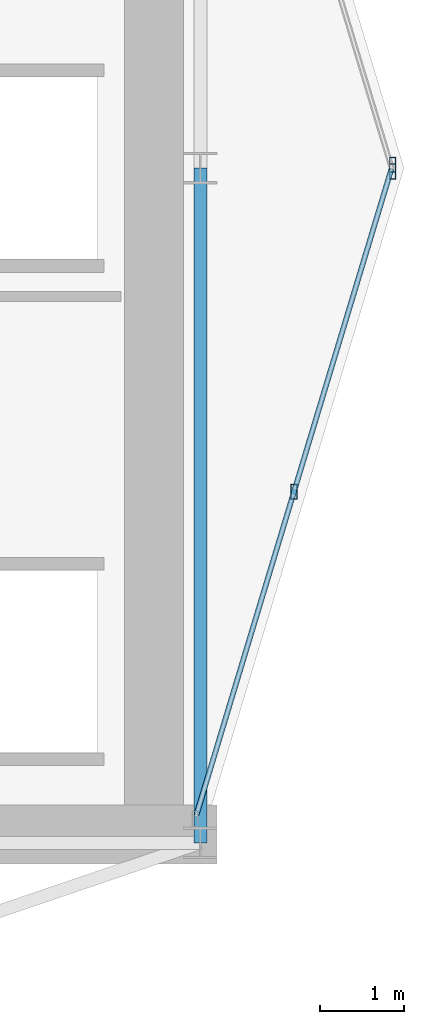
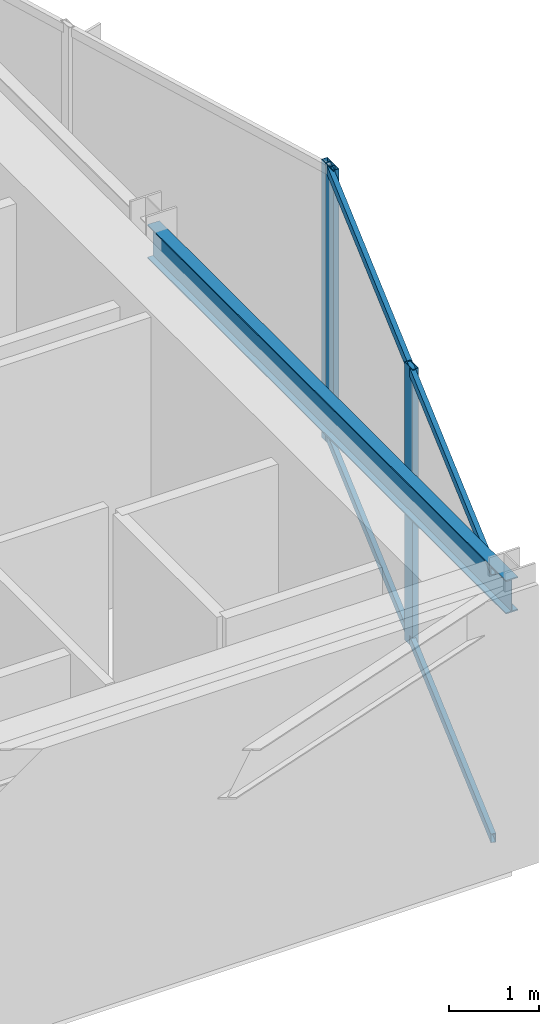
# One storey, part 14 of 22: 5 members, 1 beam, 2 elements without a shape of their own.
"""IFC4 building model written with IfcOpenShell, lengths in metres."""

from ifc_helpers import new_model, si_unit, direction, frame, origin, origin_2d, place, context, subcontext, project, spatial, hollow_rectangle, i_section, extrude, material, layer, layer_set, material_profile, profile_set, type_object, element, aggregate, save


model = new_model("IFC4")

# Units and contexts
model_context = context("Model", 3, precision=1e-05, world=origin(), true_north=direction((0.0, 1.0)))
body_context = subcontext(model_context, "Body", "Model", "MODEL_VIEW")
ifc_project = project(units=[si_unit("LENGTHUNIT", "METRE"), si_unit("AREAUNIT", "SQUARE_METRE"), si_unit("VOLUMEUNIT", "CUBIC_METRE"), si_unit("PLANEANGLEUNIT", "RADIAN"), si_unit("MASSUNIT", "GRAM", prefix="KILO")], contexts=[model_context])

# Site, building, storey
site_placement = place(None, origin())
site = spatial("IfcSite", under=ifc_project, at=site_placement, CompositionType="ELEMENT")
building_placement = place(site_placement, origin())
building = spatial("IfcBuilding", under=site, at=building_placement, Name="Veymaron Broadcast Tower", CompositionType="ELEMENT")
storey_placement = place(building_placement, frame((0.0, 0.0, 216.14990234375)))
storey = spatial("IfcBuildingStorey", under=building, at=storey_placement, Name="L50", CompositionType="ELEMENT", Elevation=216.14990234375)

# Beam
ifc_material_1 = material(Name="Structural steel ASTM A992 Gr 50", Category="steel")
ifc_material_profile_1 = material_profile(ifc_material_1, i_section(OverallWidth=0.154052734375, OverallDepth=0.458984375, WebThickness=0.009033203125, FlangeThickness=0.015380859375, at=origin_2d()), Name="W460X68")
ifc_profile_set_1 = profile_set([ifc_material_profile_1], Name="Structural steel ASTM A992 Gr 50")
beam_type = type_object("IfcBeamType", Name="BM-SP2", PredefinedType="SPANDREL", material=ifc_profile_set_1)
beam_placement = place(storey_placement, frame((54.60009765625, 16.0, 3.560546875), z_axis=(0.0, 1.0, 0.0), x_axis=(-1.0, 0.0, 0.0)))
element("IfcBeam", 1, at=beam_placement, inside=storey, type_object=beam_type, Name="L50 primary structural floor girder", PredefinedType="SPANDREL", context=body_context, shape_type="SweptSolid", body=[
    extrude(i_section(OverallWidth=0.154052734375, OverallDepth=0.458984375, WebThickness=0.009033203125, FlangeThickness=0.015380859375, at=origin_2d()), origin(), (0.0, 0.0, 1.0), 8.0),
])

# Curtain wall, members
ifc_material_2 = material(Name="Anodised aluminium AA 6063-T6 and laminated low-E dark glass", Category="aluminium")
ifc_layer = layer(ifc_material_2, 0.179931640625)
ifc_layer_set = layer_set([ifc_layer], Name="Anodised aluminium AA 6063-T6 and laminated low-E dark glass")
curtain_wall_type = type_object("IfcCurtainWallType", Name="CW-SYS-05", PredefinedType="NOTDEFINED", material=ifc_layer_set)
curtain_wall_1_placement = place(storey_placement, origin())
curtain_wall_1 = element("IfcCurtainWall", 2, at=curtain_wall_1_placement, inside=storey, type_object=curtain_wall_type, Name="L50 dark-glass curtain wall CW-L50-E2-1", PredefinedType="NOTDEFINED")
ifc_material_3 = material(Name="Anodised aluminium AA 6063-T6", Category="aluminium")
ifc_material_profile_2 = material_profile(ifc_material_3, hollow_rectangle(XDim=0.074951171875, YDim=0.179931640625, WallThickness=0.0048828125, at=origin_2d()), Name="AL180X75X5")
ifc_profile_set_2 = profile_set([ifc_material_profile_2], Name="Anodised aluminium AA 6063-T6")
member_type_1 = type_object("IfcMemberType", Name="CW-MUL-02", PredefinedType="MULLION", material=ifc_profile_set_2)
member_1_placement = place(storey_placement, frame((55.710205078125, 20.162353515625, 0.0), z_axis=(0.0, 0.0, 1.0), x_axis=(1.0, 0.0, 0.0)))
member_1 = element("IfcMember", 3, at=member_1_placement, type_object=member_type_1, Name="CW-L50-E2-1 mullion 1", PredefinedType="MULLION", context=body_context, shape_type="SweptSolid", body=[
    extrude(hollow_rectangle(XDim=0.074951171875, YDim=0.179931640625, WallThickness=0.0048828125, at=origin_2d()), origin(), (0.0, 0.0, 1.0), 3.7900390625),
])
member_2_placement = place(storey_placement, frame((56.881103515625, 24.04052734375, 0.0), z_axis=(0.0, 0.0, 1.0), x_axis=(1.0, 0.0, 0.0)))
member_2 = element("IfcMember", 4, at=member_2_placement, type_object=member_type_1, Name="CW-L50-E2-1 mullion 2", PredefinedType="MULLION", context=body_context, shape_type="SweptSolid", body=[
    extrude(hollow_rectangle(XDim=0.074951171875, YDim=0.179931640625, WallThickness=0.0048828125, at=origin_2d()), origin(), (0.0, 0.0, 1.0), 3.7900390625),
])

# Curtain wall, member
curtain_wall_2_placement = place(storey_placement, origin())
curtain_wall_2 = element("IfcCurtainWall", 5, at=curtain_wall_2_placement, inside=storey, type_object=curtain_wall_type, Name="L50 dark-glass curtain wall CW-L50-E3-1", PredefinedType="NOTDEFINED")
member_3_placement = place(storey_placement, frame((56.881103515625, 23.95947265625, 0.0), z_axis=(0.0, 0.0, 1.0), x_axis=(1.0, 0.0, 0.0)))
member_3 = element("IfcMember", 6, at=member_3_placement, type_object=member_type_1, Name="CW-L50-E3-1 mullion 0", PredefinedType="MULLION", context=body_context, shape_type="SweptSolid", body=[
    extrude(hollow_rectangle(XDim=0.074951171875, YDim=0.179931640625, WallThickness=0.0048828125, at=origin_2d()), origin(), (0.0, 0.0, 1.0), 3.7900390625),
])
aggregate(curtain_wall_2, [member_3])

# Member
ifc_material_profile_3 = material_profile(ifc_material_3, hollow_rectangle(XDim=0.06005859375, YDim=0.1201171875, WallThickness=0.00390625, at=origin_2d()), Name="AL120X60X4")
ifc_profile_set_3 = profile_set([ifc_material_profile_3], Name="Anodised aluminium AA 6063-T6")
member_type_2 = type_object("IfcMemberType", Name="CW-TRN-02", PredefinedType="USERDEFINED", material=ifc_profile_set_3)
member_4_placement = place(storey_placement, frame((54.553955078125, 16.331787109375, 0.070068359375), z_axis=(0.289007229702, 0.957326914476, 0.0), x_axis=(-0.957326914476, 0.289007229702, 0.0)))
member_4 = element("IfcMember", 7, at=member_4_placement, type_object=member_type_2, Name="CW-L50-E2-1 transom B", ObjectType="TRANSOM", PredefinedType="USERDEFINED", context=body_context, shape_type="SweptSolid", body=[
    extrude(hollow_rectangle(XDim=0.06005859375, YDim=0.1201171875, WallThickness=0.00390625, at=origin_2d()), origin(), (0.0, 0.0, 1.0), 8.00244140625),
])

member_5_placement = place(storey_placement, frame((54.553955078125, 16.331787109375, 3.72021484375), z_axis=(0.289007229702, 0.957326914476, 0.0), x_axis=(-0.957326914476, 0.289007229702, 0.0)))
member_5 = element("IfcMember", 8, at=member_5_placement, type_object=member_type_2, Name="CW-L50-E2-1 transom T", ObjectType="TRANSOM", PredefinedType="USERDEFINED", context=body_context, shape_type="SweptSolid", body=[
    extrude(hollow_rectangle(XDim=0.06005859375, YDim=0.1201171875, WallThickness=0.00390625, at=origin_2d()), origin(), (0.0, 0.0, 1.0), 8.00244140625),
])

aggregate(curtain_wall_1, [member_1, member_2, member_4, member_5])

save(model, "model.ifc")
